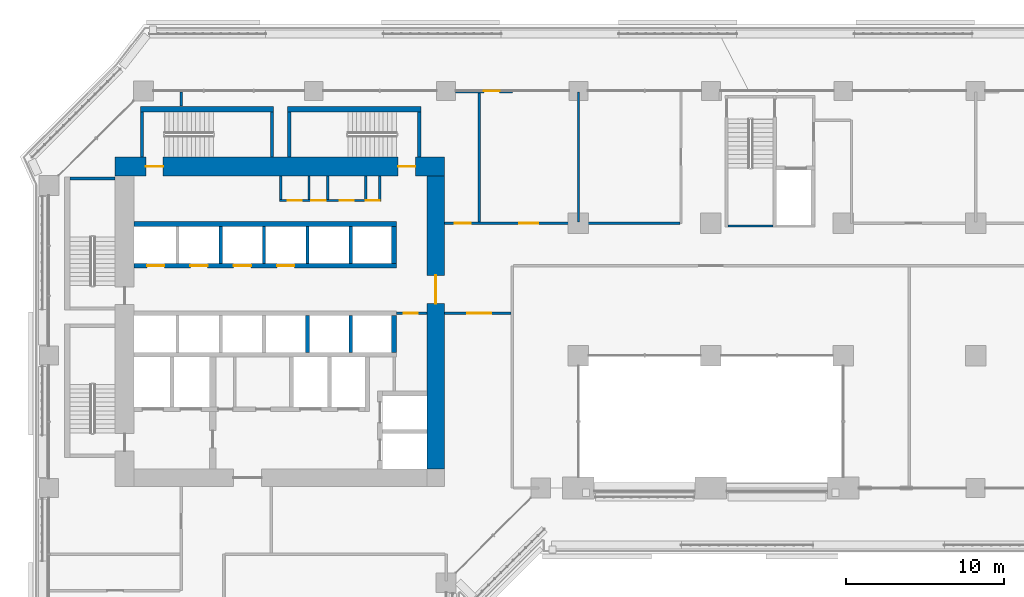
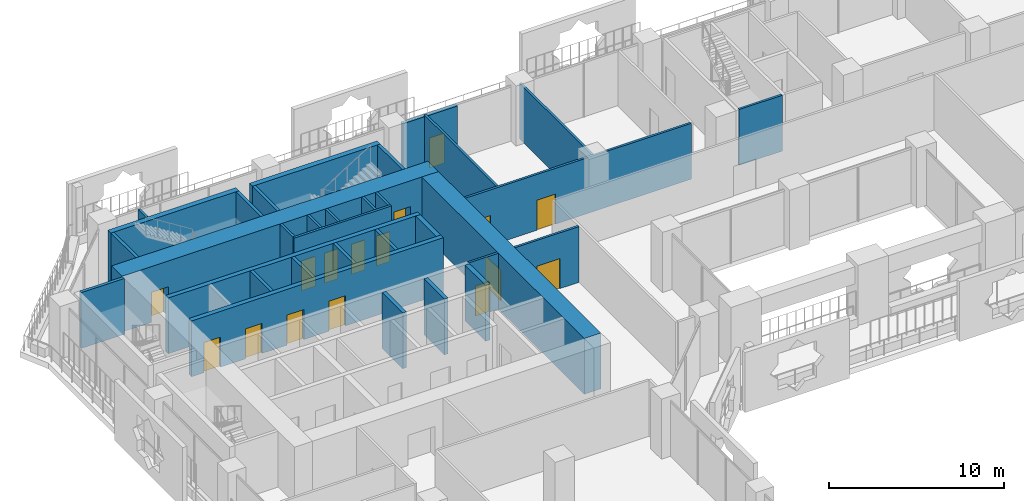
# One storey, part 15 of 27: 33 walls, 16 doors, 16 openings.
"""IFC4 building model written with IfcOpenShell, lengths in metres."""

from ifc_helpers import new_model, si_unit, direction, frame, frame_2d, origin, place, context, subcontext, project, spatial, rectangle, extrude, material, layer, layer_set, type_object, element, fill, save


model = new_model("IFC4")

# Units and contexts
model_context = context("Model", 3, precision=1e-05, world=origin(), true_north=direction((0.0, 1.0)))
body_context = subcontext(model_context, "Body", "Model", "MODEL_VIEW")
ifc_project = project(units=[si_unit("LENGTHUNIT", "METRE"), si_unit("AREAUNIT", "SQUARE_METRE"), si_unit("VOLUMEUNIT", "CUBIC_METRE"), si_unit("PLANEANGLEUNIT", "RADIAN"), si_unit("MASSUNIT", "GRAM", prefix="KILO")], contexts=[model_context])

# Site, building, storey
site_placement = place(None, origin())
site = spatial("IfcSite", under=ifc_project, at=site_placement, CompositionType="ELEMENT")
building_placement = place(site_placement, origin())
building = spatial("IfcBuilding", under=site, at=building_placement, Name="Kawkab Arch Medical Tower", CompositionType="ELEMENT")
storey_placement = place(building_placement, frame((0.0, 0.0, 43.39990234375)))
storey = spatial("IfcBuildingStorey", under=building, at=storey_placement, Name="L09", CompositionType="ELEMENT", Elevation=43.39990234375)

# Wall, opening, door
ifc_material_1 = material(Name="Concrete C60/75", Category="concrete")
ifc_layer_1 = layer(ifc_material_1, 1.10009765625)
ifc_layer_set_1 = layer_set([ifc_layer_1], Name="Concrete C60/75")
wall_type_1 = type_object("IfcWallType", Name="Core ring wall 1100 C60/75", PredefinedType="SHEAR", material=ifc_layer_set_1)
wall_1_placement = place(storey_placement, frame((24.550048828125, -24.0, 0.0), z_axis=(0.0, 0.0, 1.0), x_axis=(0.0, 1.0, 0.0)))
wall_1 = element("IfcWall", 1, at=wall_1_placement, inside=storey, type_object=wall_type_1, Name="L09 core wall", PredefinedType="SHEAR", context=body_context, shape_type="SweptSolid", body=[
    extrude(rectangle(XDim=18.60009765625, YDim=1.10009765625, at=frame_2d((9.300048828125, 0.0))), origin(), (0.0, 0.0, 1.0), 3.900146484375),
])
opening_1_placement = place(wall_1_placement, frame((10.5, 0.0, 0.0)))
opening_1 = element("IfcOpeningElement", 2, at=opening_1_placement, cuts=wall_1, Name="Opening PD", PredefinedType="OPENING", context=body_context, shape_type="SweptSolid", body=[
    extrude(rectangle(XDim=1.800048828125, YDim=2.10009765625, at=frame_2d((0.89990234375, 1.050048828125))), frame((0.0, 0.56005859375, 0.0), z_axis=(0.0, -1.0, 0.0), x_axis=(1.0, 0.0, 0.0)), (0.0, 0.0, 1.0), 1.1201171875),
])
ifc_material_2 = material(Name="Hollow metal fire door leaf")
door_type_1 = type_object("IfcDoorType", Name="Core entrance doors 1800", OperationType="DOUBLE_DOOR_SINGLE_SWING", PredefinedType="DOOR", material=ifc_material_2)
door_1_placement = place(opening_1_placement, origin())
door_1 = element("IfcDoor", 3, at=door_1_placement, inside=storey, type_object=door_type_1, Name="L09 East entrance doors", OperationType="DOUBLE_DOOR_SINGLE_SWING", OverallHeight=2.10009765625, OverallWidth=1.800048828125, PredefinedType="DOOR", context=body_context, shape_type="SweptSolid", body=[
    extrude(rectangle(XDim=1.800048828125, YDim=2.10009765625, at=frame_2d((0.89990234375, 1.050048828125))), frame((0.0, 0.02490234375, 0.0), z_axis=(0.0, -1.0, 0.0), x_axis=(1.0, 0.0, 0.0)), (0.0, 0.0, 1.0), 0.050048828125),
])
fill(opening_1, door_1)

# Wall, openings, doors
ifc_material_3 = material(Name="Concrete C60/75", Category="concrete")
ifc_layer_2 = layer(ifc_material_3, 1.199951171875)
ifc_layer_set_2 = layer_set([ifc_layer_2], Name="Concrete C60/75")
wall_type_2 = type_object("IfcWallType", Name="Core ring wall 1200 C60/75", PredefinedType="SHEAR", material=ifc_layer_set_2)
wall_2_placement = place(storey_placement, frame((4.199951171875, -4.800048828125, 0.0), z_axis=(0.0, 0.0, 1.0), x_axis=(1.0, 0.0, 0.0)))
wall_2 = element("IfcWall", 4, at=wall_2_placement, inside=storey, type_object=wall_type_2, Name="L09 core wall", PredefinedType="SHEAR", context=body_context, shape_type="SweptSolid", body=[
    extrude(rectangle(XDim=20.900146484375, YDim=1.199951171875, at=frame_2d((10.4501953125, 0.0))), origin(), (0.0, 0.0, 1.0), 3.900146484375),
])
opening_2_placement = place(wall_2_placement, frame((1.949951171875, 0.0, 0.0)))
opening_2 = element("IfcOpeningElement", 5, at=opening_2_placement, cuts=wall_2, Name="Opening SD", PredefinedType="OPENING", context=body_context, shape_type="SweptSolid", body=[
    extrude(rectangle(XDim=1.10009765625, YDim=2.10009765625, at=frame_2d((0.550048828125, 1.050048828125))), frame((0.0, 0.60986328125, 0.0), z_axis=(0.0, -1.0, 0.0), x_axis=(1.0, 0.0, 0.0)), (0.0, 0.0, 1.0), 1.219970703125),
])
opening_3_placement = place(wall_2_placement, frame((17.949951171875, 0.0, 0.0)))
opening_3 = element("IfcOpeningElement", 6, at=opening_3_placement, cuts=wall_2, Name="Opening SD", PredefinedType="OPENING", context=body_context, shape_type="SweptSolid", body=[
    extrude(rectangle(XDim=1.10009765625, YDim=2.10009765625, at=frame_2d((0.550048828125, 1.050048828125))), frame((0.0, 0.60986328125, 0.0), z_axis=(0.0, -1.0, 0.0), x_axis=(1.0, 0.0, 0.0)), (0.0, 0.0, 1.0), 1.219970703125),
])
ifc_material_4 = material(Name="Hollow metal fire door leaf")
door_type_2 = type_object("IfcDoorType", Name="Exit stair door 1100", OperationType="SINGLE_SWING_LEFT", PredefinedType="DOOR", material=ifc_material_4)
door_2_placement = place(opening_2_placement, origin())
door_2 = element("IfcDoor", 7, at=door_2_placement, inside=storey, type_object=door_type_2, Name="L09 Exit stair ST3 door", OperationType="SINGLE_SWING_LEFT", OverallHeight=2.10009765625, OverallWidth=1.10009765625, PredefinedType="DOOR", context=body_context, shape_type="SweptSolid", body=[
    extrude(rectangle(XDim=1.10009765625, YDim=2.10009765625, at=frame_2d((0.550048828125, 1.050048828125))), frame((0.0, 0.02490234375, 0.0), z_axis=(0.0, -1.0, 0.0), x_axis=(1.0, 0.0, 0.0)), (0.0, 0.0, 1.0), 0.050048828125),
])
fill(opening_2, door_2)
door_3_placement = place(opening_3_placement, origin())
door_3 = element("IfcDoor", 8, at=door_3_placement, inside=storey, type_object=door_type_2, Name="L09 Exit stair ST4 door", OperationType="SINGLE_SWING_LEFT", OverallHeight=2.10009765625, OverallWidth=1.10009765625, PredefinedType="DOOR", context=body_context, shape_type="SweptSolid", body=[
    extrude(rectangle(XDim=1.10009765625, YDim=2.10009765625, at=frame_2d((0.550048828125, 1.050048828125))), frame((0.0, 0.02490234375, 0.0), z_axis=(0.0, -1.0, 0.0), x_axis=(1.0, 0.0, 0.0)), (0.0, 0.0, 1.0), 0.050048828125),
])
fill(opening_3, door_3)

# Wall, opening, door
ifc_material_5 = material(Name="Gypsum board on steel studs", Category="steel")
ifc_layer_3 = layer(ifc_material_5, 0.14990234375)
ifc_layer_set_3 = layer_set([ifc_layer_3], Name="Gypsum board on steel studs")
wall_type_3 = type_object("IfcWallType", Name="Core room partition 150", PredefinedType="PARTITIONING", material=ifc_layer_set_3)
wall_3_placement = place(storey_placement, frame((22.050048828125, -14.10009765625, 0.0), z_axis=(0.0, 0.0, 1.0), x_axis=(1.0, 0.0, 0.0)))
wall_3 = element("IfcWall", 9, at=wall_3_placement, inside=storey, type_object=wall_type_3, Name="L09 core room partition", PredefinedType="PARTITIONING", context=body_context, shape_type="SweptSolid", body=[
    extrude(rectangle(XDim=1.949951171875, YDim=0.14990234375, at=frame_2d((0.97509765625, 0.0))), origin(), (0.0, 0.0, 1.0), 3.900146484375),
])
opening_4_placement = place(wall_3_placement, frame((0.449951171875, 0.0, 0.0)))
opening_4 = element("IfcOpeningElement", 10, at=opening_4_placement, cuts=wall_3, Name="Opening RD", PredefinedType="OPENING", context=body_context, shape_type="SweptSolid", body=[
    extrude(rectangle(XDim=0.89990234375, YDim=2.10009765625, at=frame_2d((0.449951171875, 1.050048828125))), frame((0.0, 0.0849609375, 0.0), z_axis=(0.0, -1.0, 0.0), x_axis=(1.0, 0.0, 0.0)), (0.0, 0.0, 1.0), 0.169921875),
])
ifc_material_6 = material(Name="Hollow metal fire door leaf")
door_type_3 = type_object("IfcDoorType", Name="Core room door 900", OperationType="SINGLE_SWING_LEFT", PredefinedType="DOOR", material=ifc_material_6)
door_4_placement = place(opening_4_placement, origin())
door_4 = element("IfcDoor", 11, at=door_4_placement, inside=storey, type_object=door_type_3, Name="L09 Ward pantry door", OperationType="SINGLE_SWING_LEFT", OverallHeight=2.10009765625, OverallWidth=0.89990234375, PredefinedType="DOOR", context=body_context, shape_type="SweptSolid", body=[
    extrude(rectangle(XDim=0.89990234375, YDim=2.10009765625, at=frame_2d((0.449951171875, 1.050048828125))), frame((0.0, 0.02490234375, 0.0), z_axis=(0.0, -1.0, 0.0), x_axis=(1.0, 0.0, 0.0)), (0.0, 0.0, 1.0), 0.050048828125),
])
fill(opening_4, door_4)

# Wall, openings, doors
wall_4_placement = place(storey_placement, frame((14.625, -6.949951171875, 0.0), z_axis=(0.0, 0.0, 1.0), x_axis=(1.0, 0.0, 0.0)))
wall_4 = element("IfcWall", 12, at=wall_4_placement, inside=storey, type_object=wall_type_3, Name="L09 core room partition", PredefinedType="PARTITIONING", context=body_context, shape_type="SweptSolid", body=[
    extrude(rectangle(XDim=6.449951171875, YDim=0.14990234375, at=frame_2d((3.22509765625, 0.0))), origin(), (0.0, 0.0, 1.0), 3.900146484375),
])
opening_5_placement = place(wall_4_placement, frame((0.52490234375, 0.0, 0.0)))
opening_5 = element("IfcOpeningElement", 13, at=opening_5_placement, cuts=wall_4, Name="Opening RD", PredefinedType="OPENING", context=body_context, shape_type="SweptSolid", body=[
    extrude(rectangle(XDim=0.89990234375, YDim=2.10009765625, at=frame_2d((0.449951171875, 1.050048828125))), frame((0.0, 0.0849609375, 0.0), z_axis=(0.0, -1.0, 0.0), x_axis=(1.0, 0.0, 0.0)), (0.0, 0.0, 1.0), 0.169921875),
])
opening_6_placement = place(wall_4_placement, frame((2.02490234375, 0.0, 0.0)))
opening_6 = element("IfcOpeningElement", 14, at=opening_6_placement, cuts=wall_4, Name="Opening RD", PredefinedType="OPENING", context=body_context, shape_type="SweptSolid", body=[
    extrude(rectangle(XDim=0.89990234375, YDim=2.10009765625, at=frame_2d((0.449951171875, 1.050048828125))), frame((0.0, 0.0849609375, 0.0), z_axis=(0.0, -1.0, 0.0), x_axis=(1.0, 0.0, 0.0)), (0.0, 0.0, 1.0), 0.169921875),
])
opening_7_placement = place(wall_4_placement, frame((3.824951171875, 0.0, 0.0)))
opening_7 = element("IfcOpeningElement", 15, at=opening_7_placement, cuts=wall_4, Name="Opening RD", PredefinedType="OPENING", context=body_context, shape_type="SweptSolid", body=[
    extrude(rectangle(XDim=0.89990234375, YDim=2.10009765625, at=frame_2d((0.449951171875, 1.050048828125))), frame((0.0, 0.0849609375, 0.0), z_axis=(0.0, -1.0, 0.0), x_axis=(1.0, 0.0, 0.0)), (0.0, 0.0, 1.0), 0.169921875),
])
opening_8_placement = place(wall_4_placement, frame((5.47509765625, 0.0, 0.0)))
opening_8 = element("IfcOpeningElement", 16, at=opening_8_placement, cuts=wall_4, Name="Opening RD", PredefinedType="OPENING", context=body_context, shape_type="SweptSolid", body=[
    extrude(rectangle(XDim=0.89990234375, YDim=2.10009765625, at=frame_2d((0.449951171875, 1.050048828125))), frame((0.0, 0.0849609375, 0.0), z_axis=(0.0, -1.0, 0.0), x_axis=(1.0, 0.0, 0.0)), (0.0, 0.0, 1.0), 0.169921875),
])
door_5_placement = place(opening_5_placement, origin())
door_5 = element("IfcDoor", 17, at=door_5_placement, inside=storey, type_object=door_type_3, Name="L09 Data room door", OperationType="SINGLE_SWING_LEFT", OverallHeight=2.10009765625, OverallWidth=0.89990234375, PredefinedType="DOOR", context=body_context, shape_type="SweptSolid", body=[
    extrude(rectangle(XDim=0.89990234375, YDim=2.10009765625, at=frame_2d((0.449951171875, 1.050048828125))), frame((0.0, 0.02490234375, 0.0), z_axis=(0.0, -1.0, 0.0), x_axis=(1.0, 0.0, 0.0)), (0.0, 0.0, 1.0), 0.050048828125),
])
fill(opening_5, door_5)
door_6_placement = place(opening_6_placement, origin())
door_6 = element("IfcDoor", 18, at=door_6_placement, inside=storey, type_object=door_type_3, Name="L09 Electrical riser room door", OperationType="SINGLE_SWING_LEFT", OverallHeight=2.10009765625, OverallWidth=0.89990234375, PredefinedType="DOOR", context=body_context, shape_type="SweptSolid", body=[
    extrude(rectangle(XDim=0.89990234375, YDim=2.10009765625, at=frame_2d((0.449951171875, 1.050048828125))), frame((0.0, 0.02490234375, 0.0), z_axis=(0.0, -1.0, 0.0), x_axis=(1.0, 0.0, 0.0)), (0.0, 0.0, 1.0), 0.050048828125),
])
fill(opening_6, door_6)
door_7_placement = place(opening_7_placement, origin())
door_7 = element("IfcDoor", 19, at=door_7_placement, inside=storey, type_object=door_type_3, Name="L09 Equipment store door", OperationType="SINGLE_SWING_LEFT", OverallHeight=2.10009765625, OverallWidth=0.89990234375, PredefinedType="DOOR", context=body_context, shape_type="SweptSolid", body=[
    extrude(rectangle(XDim=0.89990234375, YDim=2.10009765625, at=frame_2d((0.449951171875, 1.050048828125))), frame((0.0, 0.02490234375, 0.0), z_axis=(0.0, -1.0, 0.0), x_axis=(1.0, 0.0, 0.0)), (0.0, 0.0, 1.0), 0.050048828125),
])
fill(opening_7, door_7)
door_8_placement = place(opening_8_placement, origin())
door_8 = element("IfcDoor", 20, at=door_8_placement, inside=storey, type_object=door_type_3, Name="L09 General store door", OperationType="SINGLE_SWING_LEFT", OverallHeight=2.10009765625, OverallWidth=0.89990234375, PredefinedType="DOOR", context=body_context, shape_type="SweptSolid", body=[
    extrude(rectangle(XDim=0.89990234375, YDim=2.10009765625, at=frame_2d((0.449951171875, 1.050048828125))), frame((0.0, 0.02490234375, 0.0), z_axis=(0.0, -1.0, 0.0), x_axis=(1.0, 0.0, 0.0)), (0.0, 0.0, 1.0), 0.050048828125),
])
fill(opening_8, door_8)

# Walls
for number, where, z_axis, x_axis, name in (
    (21, (14.699951171875, -6.875, 0.0), (0.0, 0.0, 1.0), (0.0, 1.0, 0.0), "L09 core room partition"),
    (22, (16.5, -6.875, 0.0), (0.0, 0.0, 1.0), (0.0, 1.0, 0.0), "L09 core room partition"),
    (23, (17.699951171875, -6.875, 0.0), (0.0, 0.0, 1.0), (0.0, 1.0, 0.0), "L09 core room partition"),
    (24, (20.10009765625, -6.875, 0.0), (0.0, 0.0, 1.0), (0.0, 1.0, 0.0), "L09 core room partition"),
    (25, (21.0, -6.875, 0.0), (0.0, 0.0, 1.0), (0.0, 1.0, 0.0), "L09 core room partition"),
):
    element("IfcWall", number, at=place(storey_placement, frame(where, z_axis=z_axis, x_axis=x_axis)), inside=storey, type_object=wall_type_3, Name=name, PredefinedType="PARTITIONING", context=body_context, shape_type="SweptSolid", body=[
        extrude(rectangle(XDim=1.47509765625, YDim=0.14990234375, at=frame_2d((0.737548828125, 0.0))), origin(), (0.0, 0.0, 1.0), 3.900146484375),
    ])
ifc_material_7 = material(Name="Concrete C60/75", Category="concrete")
ifc_layer_4 = layer(ifc_material_7, 0.25)
ifc_layer_set_4 = layer_set([ifc_layer_4], Name="Concrete C60/75")
wall_type_4 = type_object("IfcWallType", Name="Core shear wall 250 C60/75", PredefinedType="SHEAR", material=ifc_layer_set_4)
for number, where, z_axis, x_axis, name in (
    (26, (16.39990234375, -16.60009765625, 0.0), (0.0, 0.0, 1.0), (0.0, 1.0, 0.0), "L09 core shear wall"),
    (27, (19.14990234375, -16.60009765625, 0.0), (0.0, 0.0, 1.0), (0.0, 1.0, 0.0), "L09 core shear wall"),
):
    element("IfcWall", number, at=place(storey_placement, frame(where, z_axis=z_axis, x_axis=x_axis)), inside=storey, type_object=wall_type_4, Name=name, PredefinedType="SHEAR", context=body_context, shape_type="SweptSolid", body=[
        extrude(rectangle(XDim=2.35009765625, YDim=0.25, at=frame_2d((1.175048828125, 0.0))), origin(), (0.0, 0.0, 1.0), 3.900146484375),
    ])
ifc_material_8 = material(Name="Concrete C60/75", Category="concrete")
ifc_layer_5 = layer(ifc_material_8, 0.300048828125)
ifc_layer_set_5 = layer_set([ifc_layer_5], Name="Concrete C60/75")
wall_type_5 = type_object("IfcWallType", Name="Core shear wall 300 C60/75", PredefinedType="SHEAR", material=ifc_layer_set_5)
wall_5_placement = place(storey_placement, frame((5.39990234375, -8.449951171875, 0.0), z_axis=(0.0, 0.0, 1.0), x_axis=(1.0, 0.0, 0.0)))
element("IfcWall", 28, at=wall_5_placement, inside=storey, type_object=wall_type_5, Name="L09 core shear wall", PredefinedType="SHEAR", context=body_context, shape_type="SweptSolid", body=[
    extrude(rectangle(XDim=16.650146484375, YDim=0.300048828125, at=frame_2d((8.3251953125, 0.0))), origin(), (0.0, 0.0, 1.0), 3.900146484375),
])

# Wall, openings, doors
wall_6_placement = place(storey_placement, frame((5.39990234375, -11.10009765625, 0.0), z_axis=(0.0, 0.0, 1.0), x_axis=(1.0, 0.0, 0.0)))
wall_6 = element("IfcWall", 29, at=wall_6_placement, inside=storey, type_object=wall_type_5, Name="L09 core shear wall", PredefinedType="SHEAR", context=body_context, shape_type="SweptSolid", body=[
    extrude(rectangle(XDim=16.650146484375, YDim=0.300048828125, at=frame_2d((8.3251953125, 0.0))), origin(), (0.0, 0.0, 1.0), 3.900146484375),
])
opening_9_placement = place(wall_6_placement, frame((0.824951171875, 0.0, 0.0)))
opening_9 = element("IfcOpeningElement", 30, at=opening_9_placement, cuts=wall_6, Name="Opening LD1", PredefinedType="OPENING", context=body_context, shape_type="SweptSolid", body=[
    extrude(rectangle(XDim=1.10009765625, YDim=2.10009765625, at=frame_2d((0.550048828125, 1.050048828125))), frame((0.0, 0.159912109375, 0.0), z_axis=(0.0, -1.0, 0.0), x_axis=(1.0, 0.0, 0.0)), (0.0, 0.0, 1.0), 0.320068359375),
])
opening_10_placement = place(wall_6_placement, frame((3.574951171875, 0.0, 0.0)))
opening_10 = element("IfcOpeningElement", 31, at=opening_10_placement, cuts=wall_6, Name="Opening LD1", PredefinedType="OPENING", context=body_context, shape_type="SweptSolid", body=[
    extrude(rectangle(XDim=1.10009765625, YDim=2.10009765625, at=frame_2d((0.550048828125, 1.050048828125))), frame((0.0, 0.159912109375, 0.0), z_axis=(0.0, -1.0, 0.0), x_axis=(1.0, 0.0, 0.0)), (0.0, 0.0, 1.0), 0.320068359375),
])
opening_11_placement = place(wall_6_placement, frame((6.324951171875, 0.0, 0.0)))
opening_11 = element("IfcOpeningElement", 32, at=opening_11_placement, cuts=wall_6, Name="Opening LD1", PredefinedType="OPENING", context=body_context, shape_type="SweptSolid", body=[
    extrude(rectangle(XDim=1.10009765625, YDim=2.10009765625, at=frame_2d((0.550048828125, 1.050048828125))), frame((0.0, 0.159912109375, 0.0), z_axis=(0.0, -1.0, 0.0), x_axis=(1.0, 0.0, 0.0)), (0.0, 0.0, 1.0), 0.320068359375),
])
opening_12_placement = place(wall_6_placement, frame((9.074951171875, 0.0, 0.0)))
opening_12 = element("IfcOpeningElement", 33, at=opening_12_placement, cuts=wall_6, Name="Opening LD1", PredefinedType="OPENING", context=body_context, shape_type="SweptSolid", body=[
    extrude(rectangle(XDim=1.10009765625, YDim=2.10009765625, at=frame_2d((0.550048828125, 1.050048828125))), frame((0.0, 0.159912109375, 0.0), z_axis=(0.0, -1.0, 0.0), x_axis=(1.0, 0.0, 0.0)), (0.0, 0.0, 1.0), 0.320068359375),
])
ifc_material_9 = material(Name="Stainless steel lift door leaf", Category="steel")
door_type_4 = type_object("IfcDoorType", Name="Lift landing door 1100", OperationType="DOUBLE_DOOR_SLIDING", PredefinedType="DOOR", material=ifc_material_9)
door_9_placement = place(opening_9_placement, origin())
door_9 = element("IfcDoor", 34, at=door_9_placement, inside=storey, type_object=door_type_4, Name="L09 Lift landing door LP1", OperationType="DOUBLE_DOOR_SLIDING", OverallHeight=2.10009765625, OverallWidth=1.10009765625, PredefinedType="DOOR", context=body_context, shape_type="SweptSolid", body=[
    extrude(rectangle(XDim=1.10009765625, YDim=2.10009765625, at=frame_2d((0.550048828125, 1.050048828125))), frame((0.0, 0.02490234375, 0.0), z_axis=(0.0, -1.0, 0.0), x_axis=(1.0, 0.0, 0.0)), (0.0, 0.0, 1.0), 0.050048828125),
])
fill(opening_9, door_9)
door_10_placement = place(opening_10_placement, origin())
door_10 = element("IfcDoor", 35, at=door_10_placement, inside=storey, type_object=door_type_4, Name="L09 Lift landing door LP2", OperationType="DOUBLE_DOOR_SLIDING", OverallHeight=2.10009765625, OverallWidth=1.10009765625, PredefinedType="DOOR", context=body_context, shape_type="SweptSolid", body=[
    extrude(rectangle(XDim=1.10009765625, YDim=2.10009765625, at=frame_2d((0.550048828125, 1.050048828125))), frame((0.0, 0.02490234375, 0.0), z_axis=(0.0, -1.0, 0.0), x_axis=(1.0, 0.0, 0.0)), (0.0, 0.0, 1.0), 0.050048828125),
])
fill(opening_10, door_10)
door_11_placement = place(opening_11_placement, origin())
door_11 = element("IfcDoor", 36, at=door_11_placement, inside=storey, type_object=door_type_4, Name="L09 Lift landing door LP3", OperationType="DOUBLE_DOOR_SLIDING", OverallHeight=2.10009765625, OverallWidth=1.10009765625, PredefinedType="DOOR", context=body_context, shape_type="SweptSolid", body=[
    extrude(rectangle(XDim=1.10009765625, YDim=2.10009765625, at=frame_2d((0.550048828125, 1.050048828125))), frame((0.0, 0.02490234375, 0.0), z_axis=(0.0, -1.0, 0.0), x_axis=(1.0, 0.0, 0.0)), (0.0, 0.0, 1.0), 0.050048828125),
])
fill(opening_11, door_11)
door_12_placement = place(opening_12_placement, origin())
door_12 = element("IfcDoor", 37, at=door_12_placement, inside=storey, type_object=door_type_4, Name="L09 Lift landing door LP4", OperationType="DOUBLE_DOOR_SLIDING", OverallHeight=2.10009765625, OverallWidth=1.10009765625, PredefinedType="DOOR", context=body_context, shape_type="SweptSolid", body=[
    extrude(rectangle(XDim=1.10009765625, YDim=2.10009765625, at=frame_2d((0.550048828125, 1.050048828125))), frame((0.0, 0.02490234375, 0.0), z_axis=(0.0, -1.0, 0.0), x_axis=(1.0, 0.0, 0.0)), (0.0, 0.0, 1.0), 0.050048828125),
])
fill(opening_12, door_12)

# Walls
wall_7_placement = place(storey_placement, frame((21.89990234375, -10.949951171875, 0.0), z_axis=(0.0, 0.0, 1.0), x_axis=(0.0, 1.0, 0.0)))
element("IfcWall", 38, at=wall_7_placement, inside=storey, type_object=wall_type_5, Name="L09 core shear wall", PredefinedType="SHEAR", context=body_context, shape_type="SweptSolid", body=[
    extrude(rectangle(XDim=2.349853515625, YDim=0.300048828125, at=frame_2d((1.1748046875, 0.0))), origin(), (0.0, 0.0, 1.0), 3.900146484375),
])
wall_8_placement = place(storey_placement, frame((21.89990234375, -16.60009765625, 0.0), z_axis=(0.0, 0.0, 1.0), x_axis=(0.0, 1.0, 0.0)))
element("IfcWall", 39, at=wall_8_placement, inside=storey, type_object=wall_type_5, Name="L09 core shear wall", PredefinedType="SHEAR", context=body_context, shape_type="SweptSolid", body=[
    extrude(rectangle(XDim=2.35009765625, YDim=0.300048828125, at=frame_2d((1.175048828125, 0.0))), origin(), (0.0, 0.0, 1.0), 3.900146484375),
])

# Wall, opening, door
ifc_material_10 = material(Name="Bronze clad insulated wall panel")
ifc_layer_6 = layer(ifc_material_10, 0.25)
ifc_layer_set_6 = layer_set([ifc_layer_6], Name="Bronze clad insulated wall panel")
wall_type_6 = type_object("IfcWallType", Name="External wall bay 250", PredefinedType="SOLIDWALL", material=ifc_layer_set_6)
wall_9_placement = place(storey_placement, frame((29.39990234375, 0.0, 0.0), z_axis=(0.0, 0.0, 1.0), x_axis=(-1.0, 0.0, 0.0)))
wall_9 = element("IfcWall", 40, at=wall_9_placement, inside=storey, type_object=wall_type_6, Name="External wall bay L09.R09.6.2", PredefinedType="SOLIDWALL", context=body_context, shape_type="SweptSolid", body=[
    extrude(rectangle(XDim=3.599853515625, YDim=0.25, at=frame_2d((1.7998046875, 0.0))), origin(), (0.0, 0.0, 1.0), 3.780029296875),
])
opening_13_placement = place(wall_9_placement, frame((0.800048828125, 0.0, 0.0)))
opening_13 = element("IfcOpeningElement", 41, at=opening_13_placement, cuts=wall_9, Name="Opening B09-702", PredefinedType="OPENING", context=body_context, shape_type="SweptSolid", body=[
    extrude(rectangle(XDim=1.0, YDim=2.10009765625, at=frame_2d((0.5, 1.050048828125))), frame((0.0, 0.135009765625, 0.0), z_axis=(0.0, -1.0, 0.0), x_axis=(1.0, 0.0, 0.0)), (0.0, 0.0, 1.0), 0.27001953125),
])
ifc_material_11 = material(Name="Bronze anodised aluminium door with tinted glass", Category="aluminium")
door_type_5 = type_object("IfcDoorType", Name="Single external door 1000 x 2100", OperationType="SINGLE_SWING_LEFT", PredefinedType="DOOR", material=ifc_material_11)
door_13_placement = place(opening_13_placement, origin())
door_13 = element("IfcDoor", 42, at=door_13_placement, inside=storey, type_object=door_type_5, Name="External door L09.R09.6.2", OperationType="SINGLE_SWING_LEFT", OverallHeight=2.10009765625, OverallWidth=1.0, PredefinedType="DOOR", context=body_context, shape_type="SweptSolid", body=[
    extrude(rectangle(XDim=1.0, YDim=2.10009765625, at=frame_2d((0.5, 1.050048828125))), frame((0.0, 0.02490234375, 0.0), z_axis=(0.0, -1.0, 0.0), x_axis=(1.0, 0.0, 0.0)), (0.0, 0.0, 1.0), 0.050048828125),
])
fill(opening_13, door_13)

# Walls
ifc_material_12 = material(Name="Dense concrete blockwork", Category="masonry")
ifc_layer_7 = layer(ifc_material_12, 0.199951171875)
ifc_layer_set_7 = layer_set([ifc_layer_7], Name="Dense concrete blockwork")
wall_type_7 = type_object("IfcWallType", Name="Lift shaft partition 200", PredefinedType="PARTITIONING", material=ifc_layer_set_7)
for number, where, z_axis, x_axis, name in (
    (43, (10.89990234375, -10.949951171875, 0.0), (0.0, 0.0, 1.0), (0.0, 1.0, 0.0), "L09 lift shaft partition"),
    (44, (13.64990234375, -10.949951171875, 0.0), (0.0, 0.0, 1.0), (0.0, 1.0, 0.0), "L09 lift shaft partition"),
    (45, (16.39990234375, -10.949951171875, 0.0), (0.0, 0.0, 1.0), (0.0, 1.0, 0.0), "L09 lift shaft partition"),
    (46, (19.14990234375, -10.949951171875, 0.0), (0.0, 0.0, 1.0), (0.0, 1.0, 0.0), "L09 lift shaft partition"),
):
    element("IfcWall", number, at=place(storey_placement, frame(where, z_axis=z_axis, x_axis=x_axis)), inside=storey, type_object=wall_type_7, Name=name, PredefinedType="PARTITIONING", context=body_context, shape_type="SweptSolid", body=[
        extrude(rectangle(XDim=2.349853515625, YDim=0.199951171875, at=frame_2d((1.1748046875, 0.0))), origin(), (0.0, 0.0, 1.0), 3.900146484375),
    ])

# Wall, opening, door
ifc_material_13 = material(Name="Gypsum board partition on steel studs, mineral wool", Category="steel")
ifc_layer_8 = layer(ifc_material_13, 0.14990234375)
ifc_layer_set_8 = layer_set([ifc_layer_8], Name="Gypsum board partition on steel studs, mineral wool")
wall_type_8 = type_object("IfcWallType", Name="Partition 150", PredefinedType="PARTITIONING", material=ifc_layer_set_8)
wall_10_placement = place(storey_placement, frame((25.10009765625, -14.10009765625, 0.0), z_axis=(0.0, 0.0, 1.0), x_axis=(1.0, 0.0, 0.0)))
wall_10 = element("IfcWall", 47, at=wall_10_placement, inside=storey, type_object=wall_type_8, Name="Partition 150 w015", PredefinedType="PARTITIONING", context=body_context, shape_type="SweptSolid", body=[
    extrude(rectangle(XDim=4.224853515625, YDim=0.14990234375, at=frame_2d((2.1123046875, 0.0))), origin(), (0.0, 0.0, 1.0), 3.900146484375),
])
opening_14_placement = place(wall_10_placement, frame((1.449951171875, 0.0, 0.0)))
opening_14 = element("IfcOpeningElement", 48, at=opening_14_placement, cuts=wall_10, Name="Opening B09-001", PredefinedType="OPENING", context=body_context, shape_type="SweptSolid", body=[
    extrude(rectangle(XDim=1.5, YDim=2.10009765625, at=frame_2d((0.75, 1.050048828125))), frame((0.0, 0.0849609375, 0.0), z_axis=(0.0, -1.0, 0.0), x_axis=(1.0, 0.0, 0.0)), (0.0, 0.0, 1.0), 0.169921875),
])
ifc_material_14 = material(Name="Hollow metal door leaf")
door_type_6 = type_object("IfcDoorType", Name="Double door 1500x2100 FD30S", OperationType="NOTDEFINED", PredefinedType="DOOR", material=ifc_material_14)
door_14_placement = place(opening_14_placement, origin())
door_14 = element("IfcDoor", 49, at=door_14_placement, inside=storey, type_object=door_type_6, Name="Door B09-001", OperationType="DOUBLE_DOOR_SINGLE_SWING", OverallHeight=2.10009765625, OverallWidth=1.5, PredefinedType="DOOR", context=body_context, shape_type="SweptSolid", body=[
    extrude(rectangle(XDim=1.5, YDim=2.10009765625, at=frame_2d((0.75, 1.050048828125))), frame((0.0, 0.02490234375, 0.0), z_axis=(0.0, -1.0, 0.0), x_axis=(1.0, 0.0, 0.0)), (0.0, 0.0, 1.0), 0.050048828125),
])
fill(opening_14, door_14)

# Wall, openings, doors
wall_11_placement = place(storey_placement, frame((25.10009765625, -8.39990234375, 0.0), z_axis=(0.0, 0.0, 1.0), x_axis=(1.0, 0.0, 0.0)))
wall_11 = element("IfcWall", 50, at=wall_11_placement, inside=storey, type_object=wall_type_8, Name="Partition 150 w017", PredefinedType="PARTITIONING", context=body_context, shape_type="SweptSolid", body=[
    extrude(rectangle(XDim=14.931884765625, YDim=0.14990234375, at=frame_2d((7.4658203125, 0.0))), origin(), (0.0, 0.0, 1.0), 3.900146484375),
])
opening_15_placement = place(wall_11_placement, frame((0.64990234375, 0.0, 0.0)))
opening_15 = element("IfcOpeningElement", 51, at=opening_15_placement, cuts=wall_11, Name="Opening B09-006", PredefinedType="OPENING", context=body_context, shape_type="SweptSolid", body=[
    extrude(rectangle(XDim=1.0, YDim=2.10009765625, at=frame_2d((0.5, 1.050048828125))), frame((0.0, 0.0849609375, 0.0), z_axis=(0.0, -1.0, 0.0), x_axis=(1.0, 0.0, 0.0)), (0.0, 0.0, 1.0), 0.169921875),
])
opening_16_placement = place(wall_11_placement, frame((4.75, 0.0, 0.0)))
opening_16 = element("IfcOpeningElement", 52, at=opening_16_placement, cuts=wall_11, Name="Opening B09-022", PredefinedType="OPENING", context=body_context, shape_type="SweptSolid", body=[
    extrude(rectangle(XDim=1.199951171875, YDim=2.10009765625, at=frame_2d((0.60009765625, 1.050048828125))), frame((0.0, 0.0849609375, 0.0), z_axis=(0.0, -1.0, 0.0), x_axis=(1.0, 0.0, 0.0)), (0.0, 0.0, 1.0), 0.169921875),
])
ifc_material_15 = material(Name="Timber door leaf", Category="wood")
door_type_7 = type_object("IfcDoorType", Name="Single door 1000x2100", OperationType="NOTDEFINED", PredefinedType="DOOR", material=ifc_material_15)
door_15_placement = place(opening_15_placement, origin())
door_15 = element("IfcDoor", 53, at=door_15_placement, inside=storey, type_object=door_type_7, Name="Door B09-006", OperationType="SINGLE_SWING_LEFT", OverallHeight=2.10009765625, OverallWidth=1.0, PredefinedType="DOOR", context=body_context, shape_type="SweptSolid", body=[
    extrude(rectangle(XDim=1.0, YDim=2.10009765625, at=frame_2d((0.5, 1.050048828125))), frame((0.0, 0.02490234375, 0.0), z_axis=(0.0, -1.0, 0.0), x_axis=(1.0, 0.0, 0.0)), (0.0, 0.0, 1.0), 0.050048828125),
])
fill(opening_15, door_15)
ifc_material_16 = material(Name="Hollow metal door leaf")
door_type_8 = type_object("IfcDoorType", Name="Single door 1200x2100 FD30S", OperationType="NOTDEFINED", PredefinedType="DOOR", material=ifc_material_16)
door_16_placement = place(opening_16_placement, origin())
door_16 = element("IfcDoor", 54, at=door_16_placement, inside=storey, type_object=door_type_8, Name="Door B09-022", OperationType="SINGLE_SWING_LEFT", OverallHeight=2.10009765625, OverallWidth=1.199951171875, PredefinedType="DOOR", context=body_context, shape_type="SweptSolid", body=[
    extrude(rectangle(XDim=1.199951171875, YDim=2.10009765625, at=frame_2d((0.60009765625, 1.050048828125))), frame((0.0, 0.02490234375, 0.0), z_axis=(0.0, -1.0, 0.0), x_axis=(1.0, 0.0, 0.0)), (0.0, 0.0, 1.0), 0.050048828125),
])
fill(opening_16, door_16)

# Walls
wall_12_placement = place(storey_placement, frame((8.39990234375, -0.969970703125, 0.0), z_axis=(0.0, 0.0, 1.0), x_axis=(0.0, 1.0, 0.0)))
element("IfcWall", 55, at=wall_12_placement, inside=storey, type_object=wall_type_8, Name="Partition 150 w023", PredefinedType="PARTITIONING", context=body_context, shape_type="SweptSolid", body=[
    extrude(rectangle(XDim=0.889892578125, YDim=0.14990234375, at=frame_2d((0.44482421875, 0.0))), origin(), (0.0, 0.0, 1.0), 3.900146484375),
])
for number, where, z_axis, x_axis, name in (
    (56, (27.300048828125, -8.324951171875, 0.0), (0.0, 0.0, 1.0), (0.0, 1.0, 0.0), "Partition 150 w027"),
    (57, (33.60009765625, -8.324951171875, 0.0), (0.0, 0.0, 1.0), (0.0, 1.0, 0.0), "Partition 150 w029"),
):
    element("IfcWall", number, at=place(storey_placement, frame(where, z_axis=z_axis, x_axis=x_axis)), inside=storey, type_object=wall_type_8, Name=name, PredefinedType="PARTITIONING", context=body_context, shape_type="SweptSolid", body=[
        extrude(rectangle(XDim=8.244873046875, YDim=0.14990234375, at=frame_2d((4.12255859375, 0.0))), origin(), (0.0, 0.0, 1.0), 3.900146484375),
    ])
ifc_material_17 = material(Name="Concrete C50/60", Category="concrete")
ifc_layer_9 = layer(ifc_material_17, 0.14990234375)
ifc_layer_set_9 = layer_set([ifc_layer_9], Name="Concrete C50/60")
wall_type_9 = type_object("IfcWallType", Name="Stair enclosure wall 150 C50/60", PredefinedType="SHEAR", material=ifc_layer_set_9)
wall_13_placement = place(storey_placement, frame((43.10009765625, -8.574951171875, 0.0), z_axis=(0.0, 0.0, 1.0), x_axis=(1.0, 0.0, 0.0)))
element("IfcWall", 58, at=wall_13_placement, inside=storey, type_object=wall_type_9, Name="L09 stair enclosure wall", PredefinedType="SHEAR", context=body_context, shape_type="SweptSolid", body=[
    extrude(rectangle(XDim=2.849853515625, YDim=0.14990234375, at=frame_2d((1.4248046875, 0.0))), origin(), (0.0, 0.0, 1.0), 3.900146484375),
])
ifc_material_18 = material(Name="Concrete C50/60", Category="concrete")
ifc_layer_10 = layer(ifc_material_18, 0.199951171875)
ifc_layer_set_10 = layer_set([ifc_layer_10], Name="Concrete C50/60")
wall_type_10 = type_object("IfcWallType", Name="Stair enclosure wall 200 C50/60", PredefinedType="SHEAR", material=ifc_layer_set_10)
for number, where, z_axis, x_axis, name in (
    (59, (1.35009765625, -5.550048828125, 0.0), (0.0, 0.0, 1.0), (1.0, 0.0, 0.0), "L09 stair enclosure wall"),
    (60, (5.89990234375, -4.199951171875, 0.0), (0.0, 0.0, 1.0), (0.0, 1.0, 0.0), "L09 stair enclosure wall"),
    (61, (14.14990234375, -4.199951171875, 0.0), (0.0, 0.0, 1.0), (0.0, 1.0, 0.0), "L09 stair enclosure wall"),
    (62, (15.25, -4.199951171875, 0.0), (0.0, 0.0, 1.0), (0.0, 1.0, 0.0), "L09 stair enclosure wall"),
    (63, (23.5, -4.199951171875, 0.0), (0.0, 0.0, 1.0), (0.0, 1.0, 0.0), "L09 stair enclosure wall"),
):
    element("IfcWall", number, at=place(storey_placement, frame(where, z_axis=z_axis, x_axis=x_axis)), inside=storey, type_object=wall_type_10, Name=name, PredefinedType="SHEAR", context=body_context, shape_type="SweptSolid", body=[
        extrude(rectangle(XDim=2.849853515625, YDim=0.199951171875, at=frame_2d((1.4248046875, 0.0))), origin(), (0.0, 0.0, 1.0), 3.900146484375),
    ])
ifc_material_19 = material(Name="Concrete C50/60", Category="concrete")
ifc_layer_11 = layer(ifc_material_19, 0.35009765625)
ifc_layer_set_11 = layer_set([ifc_layer_11], Name="Concrete C50/60")
wall_type_11 = type_object("IfcWallType", Name="Stair enclosure wall 350 C50/60", PredefinedType="SHEAR", material=ifc_layer_set_11)
wall_14_placement = place(storey_placement, frame((5.800048828125, -1.175048828125, 0.0), z_axis=(0.0, 0.0, 1.0), x_axis=(1.0, 0.0, 0.0)))
element("IfcWall", 64, at=wall_14_placement, inside=storey, type_object=wall_type_11, Name="L09 stair enclosure wall", PredefinedType="SHEAR", context=body_context, shape_type="SweptSolid", body=[
    extrude(rectangle(XDim=8.449951171875, YDim=0.35009765625, at=frame_2d((4.22509765625, 0.0))), origin(), (0.0, 0.0, 1.0), 3.900146484375),
])
wall_15_placement = place(storey_placement, frame((15.14990234375, -1.175048828125, 0.0), z_axis=(0.0, 0.0, 1.0), x_axis=(1.0, 0.0, 0.0)))
element("IfcWall", 65, at=wall_15_placement, inside=storey, type_object=wall_type_11, Name="L09 stair enclosure wall", PredefinedType="SHEAR", context=body_context, shape_type="SweptSolid", body=[
    extrude(rectangle(XDim=8.4501953125, YDim=0.35009765625, at=frame_2d((4.22509765625, 0.0))), origin(), (0.0, 0.0, 1.0), 3.900146484375),
])

save(model, "model.ifc")
